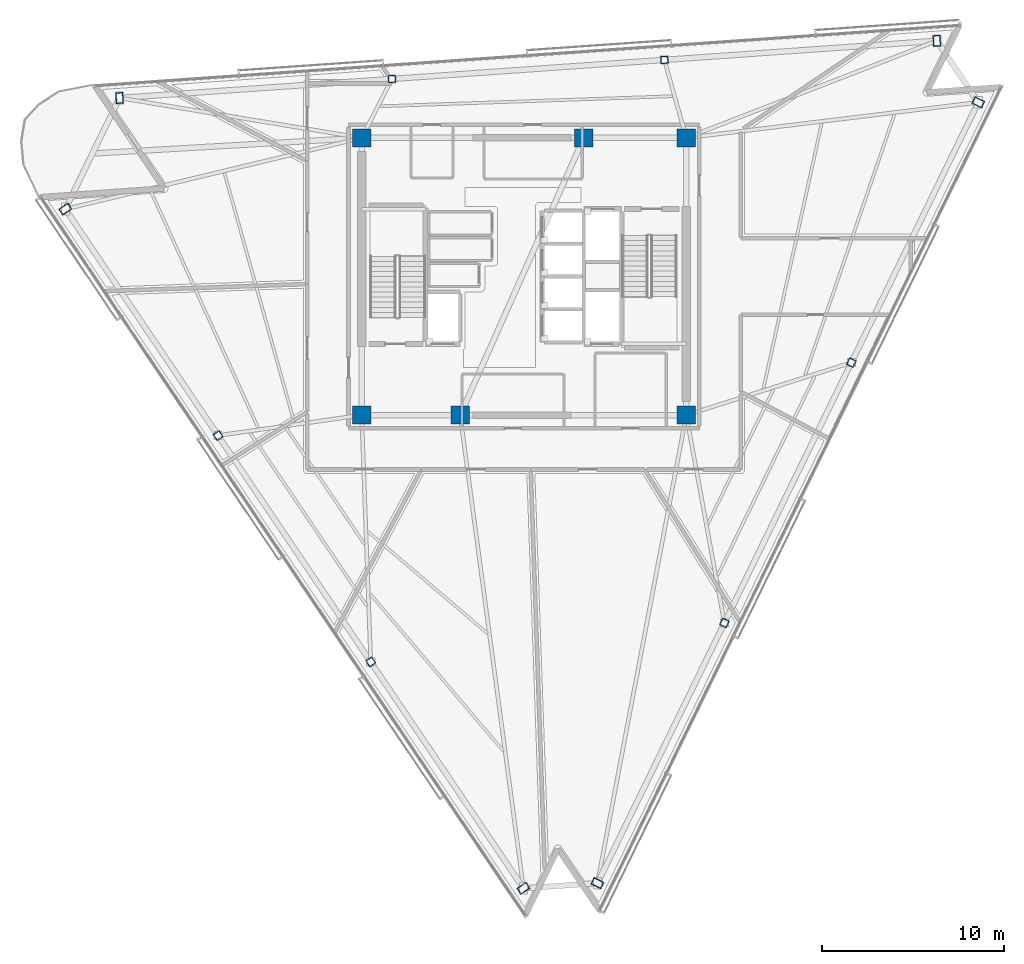
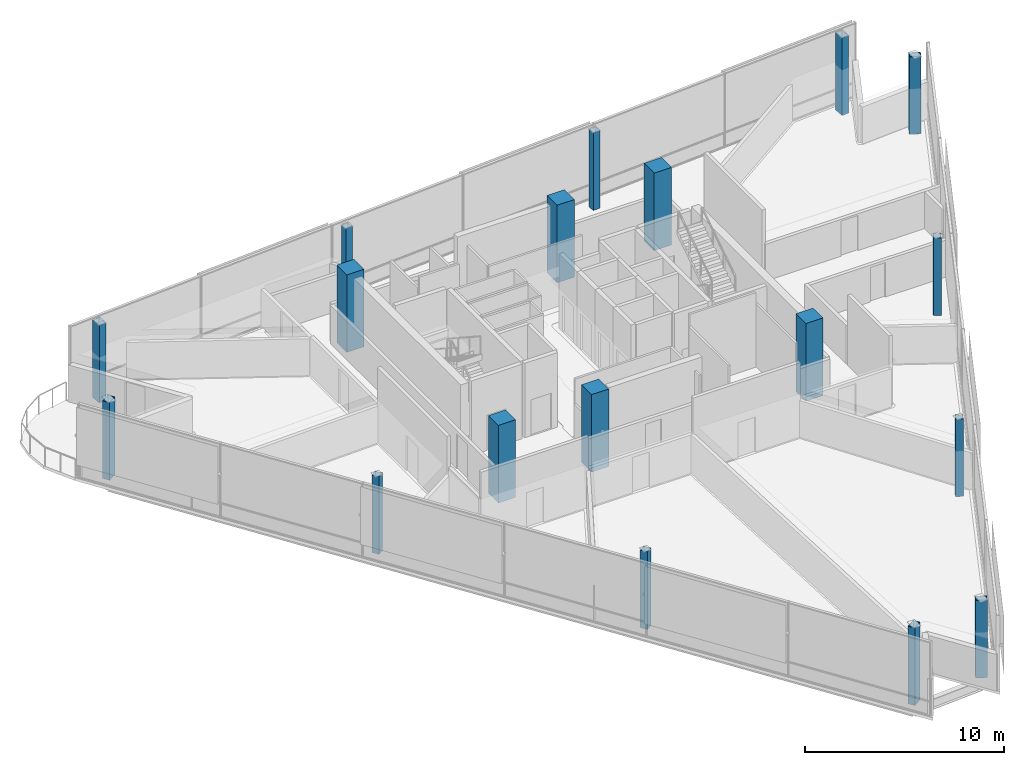
# One storey, part 1 of 16: 18 columns.
"""IFC4 building model written with IfcOpenShell, lengths in metres."""

from ifc_helpers import new_model, si_unit, direction, frame, origin, origin_2d, place, context, subcontext, project, spatial, rectangle, hollow_rectangle, extrude, material, material_profile, profile_set, type_object, element, save


model = new_model("IFC4")

# Units and contexts
model_context = context("Model", 3, precision=1e-05, world=origin(), true_north=direction((0.0, 1.0)))
body_context = subcontext(model_context, "Body", "Model", "MODEL_VIEW")
ifc_project = project(units=[si_unit("LENGTHUNIT", "METRE"), si_unit("AREAUNIT", "SQUARE_METRE"), si_unit("VOLUMEUNIT", "CUBIC_METRE"), si_unit("PLANEANGLEUNIT", "RADIAN"), si_unit("MASSUNIT", "GRAM", prefix="KILO")], contexts=[model_context])

# Site, building, storey
site_placement = place(None, origin())
site = spatial("IfcSite", under=ifc_project, at=site_placement, CompositionType="ELEMENT")
building_placement = place(site_placement, origin())
building = spatial("IfcBuilding", under=site, at=building_placement, Name="Tharavind Bronze Gate", CompositionType="ELEMENT")
storey_placement = place(building_placement, frame((0.0, 0.0, 275.0)))
storey = spatial("IfcBuildingStorey", under=building, at=storey_placement, Name="L71", CompositionType="ELEMENT", Elevation=275.0)

# Columns
ifc_material_1 = material(Name="Steel S460", Category="steel")
ifc_material_profile_1 = material_profile(ifc_material_1, hollow_rectangle(XDim=0.39990234375, YDim=0.60009765625, WallThickness=0.030029296875, at=origin_2d()), Name="RHS600X400X30")
ifc_profile_set_1 = profile_set([ifc_material_profile_1], Name="Steel S460")
column_type_1 = type_object("IfcColumnType", Name="CORNER NOTCH COLUMN RHS600X400", PredefinedType="COLUMN", material=ifc_profile_set_1)
for number, where, z_axis, x_axis, name in (
    (1, (-25.14990234375, 3.694580078125, 0.0), (0.0, 0.0, 1.0), (-0.559192903471, 0.829037572555, 0.0), "L71 perimeter column S1C1"),
    (2, (-0.02880859375, -33.549072265625, 0.0), (0.0, 0.0, 1.0), (-0.559192903471, 0.829037572555, 0.0), "L71 perimeter column S1C4"),
    (3, (4.029296875, -33.26513671875, 0.0), (0.0, 0.0, 1.0), (0.43837271548, 0.898793281196, 0.0), "L71 perimeter column S2C1"),
    (4, (24.91162109375, 9.5498046875, 0.0), (0.0, 0.0, 1.0), (0.43837271548, 0.898793281196, 0.0), "L71 perimeter column S2C4"),
    (5, (22.636962890625, 12.92236328125, 0.0), (0.0, 0.0, 1.0), (0.99756392851, 0.069758214822, 0.0), "L71 perimeter column S3C1"),
    (6, (-22.177490234375, 9.78857421875, 0.0), (0.0, 0.0, 1.0), (0.99756392851, 0.069758214822, 0.0), "L71 perimeter column S3C4"),
):
    element("IfcColumn", number, at=place(storey_placement, frame(where, z_axis=z_axis, x_axis=x_axis)), inside=storey, type_object=column_type_1, Name=name, PredefinedType="COLUMN", context=body_context, shape_type="SweptSolid", body=[
        extrude(hollow_rectangle(XDim=0.39990234375, YDim=0.60009765625, WallThickness=0.030029296875, at=origin_2d()), origin(), (0.0, 0.0, 1.0), 4.75),
    ])
ifc_material_2 = material(Name="Concrete C50/60", Category="concrete")
ifc_material_profile_2 = material_profile(ifc_material_2, rectangle(XDim=1.0, YDim=1.0, at=origin_2d()), Name="RCCOL1000")
ifc_profile_set_2 = profile_set([ifc_material_profile_2], Name="Concrete C50/60")
column_type_2 = type_object("IfcColumnType", Name="MEGA CORE COLUMN 1000", PredefinedType="COLUMN", material=ifc_profile_set_2)
for number, where, z_axis, x_axis, name in (
    (7, (-8.89990234375, -7.60009765625, 0.0), (0.0, 0.0, 1.0), (1.0, 0.0, 0.0), "L71 core mega column MC1"),
    (8, (-3.5, -7.60009765625, 0.0), (0.0, 0.0, 1.0), (1.0, 0.0, 0.0), "L71 core mega column MC2"),
    (9, (8.89990234375, -7.60009765625, 0.0), (0.0, 0.0, 1.0), (1.0, 0.0, 0.0), "L71 core mega column MC3"),
    (10, (8.89990234375, 7.60009765625, 0.0), (0.0, 0.0, 1.0), (1.0, 0.0, 0.0), "L71 core mega column MC4"),
    (11, (3.280029296875, 7.60009765625, 0.0), (0.0, 0.0, 1.0), (1.0, 0.0, 0.0), "L71 core mega column MC5"),
    (12, (-8.89990234375, 7.60009765625, 0.0), (0.0, 0.0, 1.0), (1.0, 0.0, 0.0), "L71 core mega column MC6"),
):
    element("IfcColumn", number, at=place(storey_placement, frame(where, z_axis=z_axis, x_axis=x_axis)), inside=storey, type_object=column_type_2, Name=name, PredefinedType="COLUMN", context=body_context, shape_type="SweptSolid", body=[
        extrude(rectangle(XDim=1.0, YDim=1.0, at=origin_2d()), origin(), (0.0, 0.0, 1.0), 4.75),
    ])
ifc_material_profile_3 = material_profile(ifc_material_1, hollow_rectangle(XDim=0.39990234375, YDim=0.39990234375, WallThickness=0.02490234375, at=origin_2d()), Name="SHS400X25")
ifc_profile_set_3 = profile_set([ifc_material_profile_3], Name="Steel S460")
column_type_3 = type_object("IfcColumnType", Name="PERIMETER BOX COLUMN SHS400", PredefinedType="COLUMN", material=ifc_profile_set_3)
for number, where, z_axis, x_axis, name in (
    (13, (-16.776123046875, -8.719970703125, 0.0), (0.0, 0.0, 1.0), (-0.559192903471, 0.829037572555, 0.0), "L71 perimeter column S1C2"),
    (14, (-8.40234375, -21.134521484375, 0.0), (0.0, 0.0, 1.0), (-0.559192903471, 0.829037572555, 0.0), "L71 perimeter column S1C3"),
    (15, (10.990234375, -18.99365234375, 0.0), (0.0, 0.0, 1.0), (0.43837271548, 0.898793281196, 0.0), "L71 perimeter column S2C2"),
    (16, (17.950927734375, -4.721923828125, 0.0), (0.0, 0.0, 1.0), (0.43837271548, 0.898793281196, 0.0), "L71 perimeter column S2C3"),
    (17, (7.69873046875, 11.877685546875, 0.0), (0.0, 0.0, 1.0), (0.99756392851, 0.069758214822, 0.0), "L71 perimeter column S3C2"),
    (18, (-7.239501953125, 10.8330078125, 0.0), (0.0, 0.0, 1.0), (0.99756392851, 0.069758214822, 0.0), "L71 perimeter column S3C3"),
):
    element("IfcColumn", number, at=place(storey_placement, frame(where, z_axis=z_axis, x_axis=x_axis)), inside=storey, type_object=column_type_3, Name=name, PredefinedType="COLUMN", context=body_context, shape_type="SweptSolid", body=[
        extrude(hollow_rectangle(XDim=0.39990234375, YDim=0.39990234375, WallThickness=0.02490234375, at=origin_2d()), origin(), (0.0, 0.0, 1.0), 4.75),
    ])

save(model, "model.ifc")
